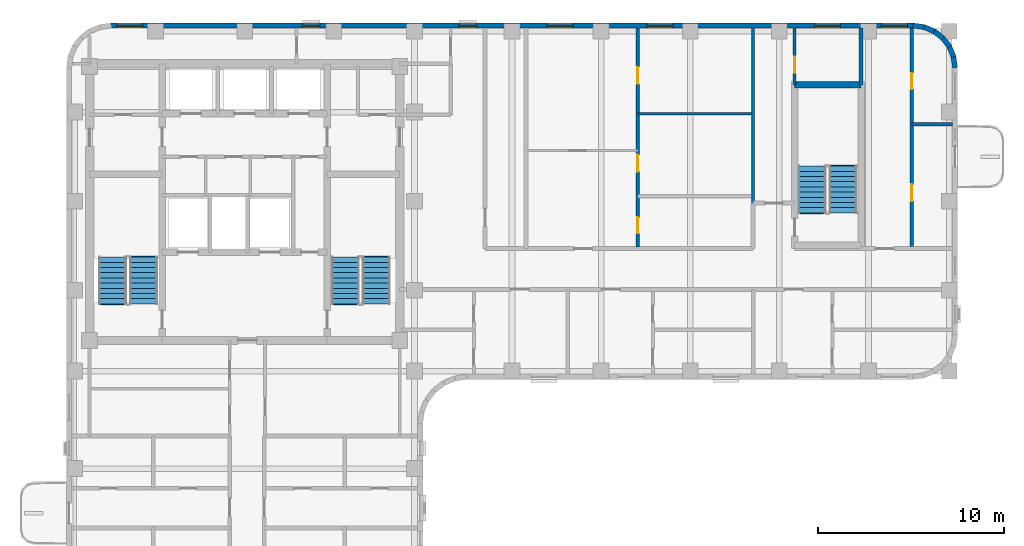
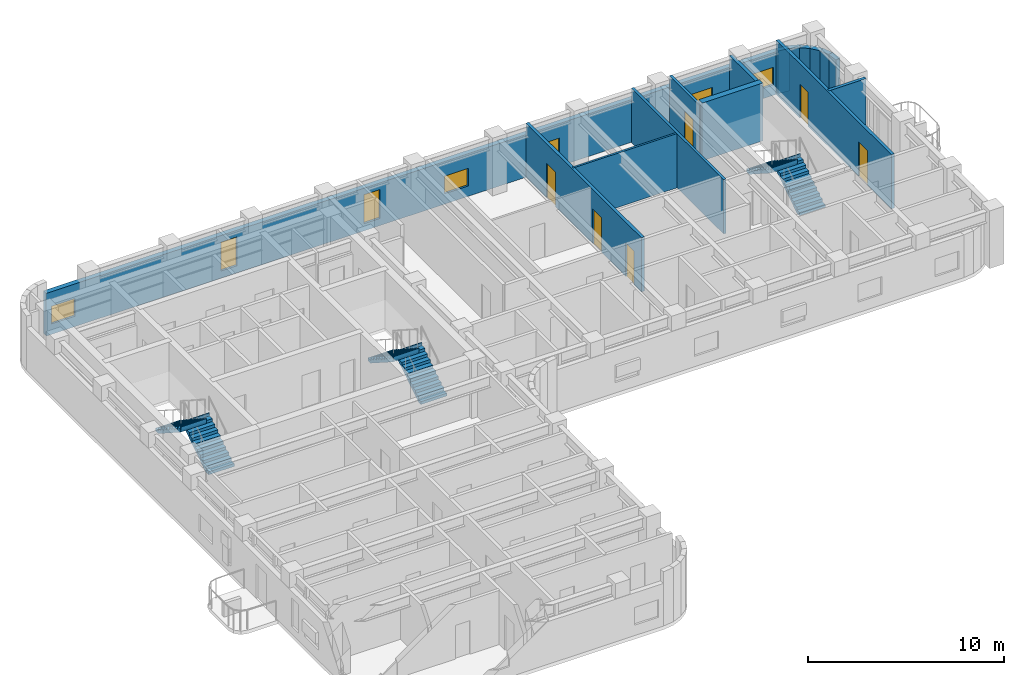
# One storey, part 7 of 10: 15 walls, 7 windows, 6 doors, 6 stair flights, 13 openings, 3 elements without a shape of their own.
"""IFC4 building model written with IfcOpenShell, lengths in metres."""

from ifc_helpers import new_model, si_unit, direction, frame, frame_2d, origin, place, context, subcontext, project, spatial, polyline, rectangle, outline, extrude, material, layer, layer_set, type_object, element, fill, aggregate, save


model = new_model("IFC4")

# Units and contexts
model_context = context("Model", 3, precision=1e-05, world=origin(), true_north=direction((0.0, 1.0)))
body_context = subcontext(model_context, "Body", "Model", "MODEL_VIEW")
ifc_project = project(units=[si_unit("LENGTHUNIT", "METRE"), si_unit("AREAUNIT", "SQUARE_METRE"), si_unit("VOLUMEUNIT", "CUBIC_METRE"), si_unit("PLANEANGLEUNIT", "RADIAN"), si_unit("MASSUNIT", "GRAM", prefix="KILO")], contexts=[model_context])

# Site, building, storey
site_placement = place(None, origin())
site = spatial("IfcSite", under=ifc_project, at=site_placement, CompositionType="ELEMENT")
building_placement = place(site_placement, origin())
building = spatial("IfcBuilding", under=site, at=building_placement, Name="Orvandelia Arch Residences", CompositionType="ELEMENT")
storey_placement = place(building_placement, frame((0.0, 0.0, 211.0)))
storey = spatial("IfcBuildingStorey", under=building, at=storey_placement, Name="L55", CompositionType="ELEMENT", Elevation=211.0)

# Walls
ifc_material_1 = material(Name="Concrete C50/60", Category="concrete")
ifc_layer_1 = layer(ifc_material_1, 0.35009765625, Name="Concrete C50/60", Category="concrete")
ifc_layer_set_1 = layer_set([ifc_layer_1], Name="Concrete C50/60")
wall_type_1 = type_object("IfcWallType", Name="WL-CORE-350", PredefinedType="SHEAR", material=ifc_layer_set_1)
wall_1_placement = place(storey_placement, frame((44.02001953125, 44.659912109375, 0.0), z_axis=(0.0, 0.0, 1.0), x_axis=(1.0, 0.0, 0.0)))
element("IfcWall", 1, at=wall_1_placement, inside=storey, type_object=wall_type_1, Name="East Stair Core Shear Wall L55-N", PredefinedType="SHEAR", context=body_context, shape_type="SweptSolid", body=[
    extrude(rectangle(XDim=3.580078125, YDim=0.35009765625, at=frame_2d((1.7900390625, 0.0))), origin(), (0.0, 0.0, 1.0), 3.60009765625),
])
ifc_material_2 = material(Name="Concrete C40/50", Category="concrete")
ifc_layer_2 = layer(ifc_material_2, 0.199951171875, Name="Concrete C40/50", Category="concrete")
ifc_layer_set_2 = layer_set([ifc_layer_2], Name="Concrete C40/50")
wall_type_2 = type_object("IfcWallType", Name="WL-DEM-200", PredefinedType="SOLIDWALL", material=ifc_layer_set_2)
wall_2_placement = place(storey_placement, frame((47.60009765625, 44.659912109375, 0.0), z_axis=(0.0, 0.0, 1.0), x_axis=(0.0, 1.0, 0.0)))
element("IfcWall", 2, at=wall_2_placement, inside=storey, type_object=wall_type_2, Name="Interior Partition Wall WL-L55-ES-NST3E", PredefinedType="SOLIDWALL", context=body_context, shape_type="SweptSolid", body=[
    extrude(rectangle(XDim=3.06005859375, YDim=0.199951171875, at=frame_2d((1.530029296875, 0.0))), origin(), (0.0, 0.0, 1.0), 3.3798828125),
])

# Wall, openings, windows
ifc_material_3 = material(Name="Precast concrete C40/50", Category="concrete")
ifc_layer_3 = layer(ifc_material_3, 0.280029296875, Name="Precast concrete C40/50", Category="concrete")
ifc_layer_set_3 = layer_set([ifc_layer_3], Name="Precast concrete C40/50")
wall_type_3 = type_object("IfcWallType", Name="WL-EXT-STONE-280", PredefinedType="STANDARD", material=ifc_layer_set_3)
wall_3_placement = place(storey_placement, frame((7.199951171875, 47.860107421875, 0.0), z_axis=(0.0, 0.0, 1.0), x_axis=(1.0, 0.0, 0.0)))
wall_3 = element("IfcWall", 3, at=wall_3_placement, inside=storey, type_object=wall_type_3, Name="Coral-Limestone Precast Facade Wall L55-007", PredefinedType="STANDARD", context=body_context, shape_type="SweptSolid", body=[
    extrude(rectangle(XDim=43.199951171875, YDim=0.280029296875, at=frame_2d((21.60009765625, 0.0))), origin(), (0.0, 0.0, 1.0), 2.659912109375),
])
opening_1_placement = place(wall_3_placement, frame((28.865966796875, 0.0, 0.64990234375)))
opening_1 = element("IfcOpeningElement", 4, at=opening_1_placement, cuts=wall_3, Name="Opening W10", PredefinedType="OPENING", context=body_context, shape_type="SweptSolid", body=[
    extrude(rectangle(XDim=1.39990234375, YDim=1.10009765625, at=frame_2d((0.699951171875, 0.550048828125))), frame((0.0, 0.14990234375, 0.0), z_axis=(0.0, -1.0, 0.0), x_axis=(1.0, 0.0, 0.0)), (0.0, 0.0, 1.0), 0.300048828125),
])
opening_2_placement = place(wall_3_placement, frame((41.489501953125, 0.0, 0.64990234375)))
opening_2 = element("IfcOpeningElement", 5, at=opening_2_placement, cuts=wall_3, Name="Opening W10", PredefinedType="OPENING", context=body_context, shape_type="SweptSolid", body=[
    extrude(rectangle(XDim=1.39990234375, YDim=1.10009765625, at=frame_2d((0.699951171875, 0.550048828125))), frame((0.0, 0.14990234375, 0.0), z_axis=(0.0, -1.0, 0.0), x_axis=(1.0, 0.0, 0.0)), (0.0, 0.0, 1.0), 0.300048828125),
])
opening_3_placement = place(wall_3_placement, frame((18.739990234375, 0.0, 0.449951171875)))
opening_3 = element("IfcOpeningElement", 6, at=opening_3_placement, cuts=wall_3, Name="Opening W4", PredefinedType="OPENING", context=body_context, shape_type="SweptSolid", body=[
    extrude(rectangle(XDim=0.949951171875, YDim=1.800048828125, at=frame_2d((0.47509765625, 0.89990234375))), frame((0.0, 0.14990234375, 0.0), z_axis=(0.0, -1.0, 0.0), x_axis=(1.0, 0.0, 0.0)), (0.0, 0.0, 1.0), 0.300048828125),
])
opening_4_placement = place(wall_3_placement, frame((37.887451171875, 0.0, 0.64990234375)))
opening_4 = element("IfcOpeningElement", 7, at=opening_4_placement, cuts=wall_3, Name="Opening W10", PredefinedType="OPENING", context=body_context, shape_type="SweptSolid", body=[
    extrude(rectangle(XDim=1.39990234375, YDim=1.10009765625, at=frame_2d((0.699951171875, 0.550048828125))), frame((0.0, 0.14990234375, 0.0), z_axis=(0.0, -1.0, 0.0), x_axis=(1.0, 0.0, 0.0)), (0.0, 0.0, 1.0), 0.300048828125),
])
opening_5_placement = place(wall_3_placement, frame((0.3076171875, 0.0, 0.64990234375)))
opening_5 = element("IfcOpeningElement", 8, at=opening_5_placement, cuts=wall_3, Name="Opening W10", PredefinedType="OPENING", context=body_context, shape_type="SweptSolid", body=[
    extrude(rectangle(XDim=1.39990234375, YDim=1.10009765625, at=frame_2d((0.699951171875, 0.550048828125))), frame((0.0, 0.14990234375, 0.0), z_axis=(0.0, -1.0, 0.0), x_axis=(1.0, 0.0, 0.0)), (0.0, 0.0, 1.0), 0.300048828125),
])
opening_6_placement = place(wall_3_placement, frame((10.302490234375, 0.0, 0.449951171875)))
opening_6 = element("IfcOpeningElement", 9, at=opening_6_placement, cuts=wall_3, Name="Opening W4", PredefinedType="OPENING", context=body_context, shape_type="SweptSolid", body=[
    extrude(rectangle(XDim=0.949951171875, YDim=1.800048828125, at=frame_2d((0.47509765625, 0.89990234375))), frame((0.0, 0.14990234375, 0.0), z_axis=(0.0, -1.0, 0.0), x_axis=(1.0, 0.0, 0.0)), (0.0, 0.0, 1.0), 0.300048828125),
])
opening_7_placement = place(wall_3_placement, frame((23.492431640625, 0.0, 0.64990234375)))
opening_7 = element("IfcOpeningElement", 10, at=opening_7_placement, cuts=wall_3, Name="Opening W10", PredefinedType="OPENING", context=body_context, shape_type="SweptSolid", body=[
    extrude(rectangle(XDim=1.39990234375, YDim=1.10009765625, at=frame_2d((0.699951171875, 0.550048828125))), frame((0.0, 0.14990234375, 0.0), z_axis=(0.0, -1.0, 0.0), x_axis=(1.0, 0.0, 0.0)), (0.0, 0.0, 1.0), 0.300048828125),
])
ifc_material_4 = material(Name="Tempered Low-E Insulated Glazing", Category="glass")
window_type_1 = type_object("IfcWindowType", Name="WIN-CLR-1400x1100", PartitioningType="SINGLE_PANEL", PredefinedType="WINDOW", material=ifc_material_4)
window_1_placement = place(opening_1_placement, origin())
window_1 = element("IfcWindow", 11, at=window_1_placement, inside=storey, type_object=window_type_1, Name="Recessed Punched Window L55-001", OverallHeight=1.10009765625, OverallWidth=1.39990234375, PartitioningType="SINGLE_PANEL", PredefinedType="WINDOW", context=body_context, shape_type="SweptSolid", body=[
    extrude(rectangle(XDim=1.39990234375, YDim=1.10009765625, at=frame_2d((0.699951171875, 0.550048828125))), frame((0.0, 0.030029296875, 0.0), z_axis=(0.0, -1.0, 0.0), x_axis=(1.0, 0.0, 0.0)), (0.0, 0.0, 1.0), 0.06005859375),
])
fill(opening_1, window_1)
window_2_placement = place(opening_2_placement, origin())
window_2 = element("IfcWindow", 12, at=window_2_placement, inside=storey, type_object=window_type_1, Name="Recessed Punched Window L55-002", OverallHeight=1.10009765625, OverallWidth=1.39990234375, PartitioningType="SINGLE_PANEL", PredefinedType="WINDOW", context=body_context, shape_type="SweptSolid", body=[
    extrude(rectangle(XDim=1.39990234375, YDim=1.10009765625, at=frame_2d((0.699951171875, 0.550048828125))), frame((0.0, 0.030029296875, 0.0), z_axis=(0.0, -1.0, 0.0), x_axis=(1.0, 0.0, 0.0)), (0.0, 0.0, 1.0), 0.06005859375),
])
fill(opening_2, window_2)
window_3_placement = place(opening_4_placement, origin())
window_3 = element("IfcWindow", 13, at=window_3_placement, inside=storey, type_object=window_type_1, Name="Recessed Punched Window L55-004", OverallHeight=1.10009765625, OverallWidth=1.39990234375, PartitioningType="SINGLE_PANEL", PredefinedType="WINDOW", context=body_context, shape_type="SweptSolid", body=[
    extrude(rectangle(XDim=1.39990234375, YDim=1.10009765625, at=frame_2d((0.699951171875, 0.550048828125))), frame((0.0, 0.030029296875, 0.0), z_axis=(0.0, -1.0, 0.0), x_axis=(1.0, 0.0, 0.0)), (0.0, 0.0, 1.0), 0.06005859375),
])
fill(opening_4, window_3)
window_4_placement = place(opening_5_placement, origin())
window_4 = element("IfcWindow", 14, at=window_4_placement, inside=storey, type_object=window_type_1, Name="Recessed Punched Window L55-005", OverallHeight=1.10009765625, OverallWidth=1.39990234375, PartitioningType="SINGLE_PANEL", PredefinedType="WINDOW", context=body_context, shape_type="SweptSolid", body=[
    extrude(rectangle(XDim=1.39990234375, YDim=1.10009765625, at=frame_2d((0.699951171875, 0.550048828125))), frame((0.0, 0.030029296875, 0.0), z_axis=(0.0, -1.0, 0.0), x_axis=(1.0, 0.0, 0.0)), (0.0, 0.0, 1.0), 0.06005859375),
])
fill(opening_5, window_4)
window_5_placement = place(opening_7_placement, origin())
window_5 = element("IfcWindow", 15, at=window_5_placement, inside=storey, type_object=window_type_1, Name="Recessed Punched Window L55-007", OverallHeight=1.10009765625, OverallWidth=1.39990234375, PartitioningType="SINGLE_PANEL", PredefinedType="WINDOW", context=body_context, shape_type="SweptSolid", body=[
    extrude(rectangle(XDim=1.39990234375, YDim=1.10009765625, at=frame_2d((0.699951171875, 0.550048828125))), frame((0.0, 0.030029296875, 0.0), z_axis=(0.0, -1.0, 0.0), x_axis=(1.0, 0.0, 0.0)), (0.0, 0.0, 1.0), 0.06005859375),
])
fill(opening_7, window_5)
window_type_2 = type_object("IfcWindowType", Name="WIN-RES-0950x1800", PartitioningType="SINGLE_PANEL", PredefinedType="WINDOW", material=ifc_material_4)
window_6_placement = place(opening_3_placement, origin())
window_6 = element("IfcWindow", 16, at=window_6_placement, inside=storey, type_object=window_type_2, Name="Recessed Punched Window L55-003", OverallHeight=1.800048828125, OverallWidth=0.949951171875, PartitioningType="SINGLE_PANEL", PredefinedType="WINDOW", context=body_context, shape_type="SweptSolid", body=[
    extrude(rectangle(XDim=0.949951171875, YDim=1.800048828125, at=frame_2d((0.47509765625, 0.89990234375))), frame((0.0, 0.030029296875, 0.0), z_axis=(0.0, -1.0, 0.0), x_axis=(1.0, 0.0, 0.0)), (0.0, 0.0, 1.0), 0.06005859375),
])
fill(opening_3, window_6)
window_7_placement = place(opening_6_placement, origin())
window_7 = element("IfcWindow", 17, at=window_7_placement, inside=storey, type_object=window_type_2, Name="Recessed Punched Window L55-006", OverallHeight=1.800048828125, OverallWidth=0.949951171875, PartitioningType="SINGLE_PANEL", PredefinedType="WINDOW", context=body_context, shape_type="SweptSolid", body=[
    extrude(rectangle(XDim=0.949951171875, YDim=1.800048828125, at=frame_2d((0.47509765625, 0.89990234375))), frame((0.0, 0.030029296875, 0.0), z_axis=(0.0, -1.0, 0.0), x_axis=(1.0, 0.0, 0.0)), (0.0, 0.0, 1.0), 0.06005859375),
])
fill(opening_6, window_7)

# Walls
wall_4_placement = place(storey_placement, frame((50.381591796875, 47.861083984375, 0.0), z_axis=(0.0, 0.0, 1.0), x_axis=(0.991447664465, -0.130504898859, 0.0)))
element("IfcWall", 18, at=wall_4_placement, inside=storey, type_object=wall_type_3, Name="Coral-Limestone Precast Facade Wall L55-008", PredefinedType="STANDARD", context=body_context, shape_type="SweptSolid", body=[
    extrude(rectangle(XDim=0.626708984375, YDim=0.280029296875, at=frame_2d((0.3134765625, 0.0))), origin(), (0.0, 0.0, 1.0), 2.659912109375),
])
for number, where, z_axis, x_axis, name in (
    (19, (50.967529296875, 47.788818359375, 0.0), (0.0, 0.0, 1.0), (0.924031075431, -0.382317370307, 0.0), "Coral-Limestone Precast Facade Wall L55-009"),
    (20, (51.514892578125, 47.5673828125, 0.0), (0.0, 0.0, 1.0), (0.793405610854, -0.608693302629, 0.0), "Coral-Limestone Precast Facade Wall L55-010"),
    (21, (51.986083984375, 47.2119140625, 0.0), (0.0, 0.0, 1.0), (0.608693302629, -0.793405610854, 0.0), "Coral-Limestone Precast Facade Wall L55-011"),
    (22, (52.34912109375, 46.746337890625, 0.0), (0.0, 0.0, 1.0), (0.382650053678, -0.92389335771, 0.0), "Coral-Limestone Precast Facade Wall L55-012"),
    (23, (52.579345703125, 46.202880859375, 0.0), (0.0, 0.0, 1.0), (0.130555323746, -0.9914410257, 0.0), "Coral-Limestone Precast Facade Wall L55-013"),
):
    element("IfcWall", number, at=place(storey_placement, frame(where, z_axis=z_axis, x_axis=x_axis)), inside=storey, type_object=wall_type_3, Name=name, PredefinedType="STANDARD", context=body_context, shape_type="SweptSolid", body=[
        extrude(rectangle(XDim=0.62646484375, YDim=0.280029296875, at=frame_2d((0.313232421875, 0.0))), origin(), (0.0, 0.0, 1.0), 2.659912109375),
    ])
ifc_material_5 = material(Name="Lightweight Gypsum Stud Partition")
ifc_layer_4 = layer(ifc_material_5, 0.1201171875, Name="Lightweight Gypsum Stud Partition")
ifc_layer_set_4 = layer_set([ifc_layer_4], Name="Lightweight Gypsum Stud Partition")
wall_type_4 = type_object("IfcWallType", Name="WL-PART-120", PredefinedType="PARTITIONING", material=ifc_layer_set_4)
wall_5_placement = place(storey_placement, frame((35.576904296875, 43.10693359375, 0.0), z_axis=(0.0, 0.0, 1.0), x_axis=(1.0, 0.0, 0.0)))
element("IfcWall", 24, at=wall_5_placement, inside=storey, type_object=wall_type_4, Name="Interior Partition Wall WL-L55-U10-H2", PredefinedType="PARTITIONING", context=body_context, shape_type="SweptSolid", body=[
    extrude(rectangle(XDim=6.123046875, YDim=0.1201171875, at=frame_2d((3.0615234375, 0.0))), origin(), (0.0, 0.0, 1.0), 3.3798828125),
])
ifc_material_6 = material(Name="Acoustic Gypsum Stud Partition")
ifc_layer_5 = layer(ifc_material_6, 0.14990234375, Name="Acoustic Gypsum Stud Partition")
ifc_layer_set_5 = layer_set([ifc_layer_5], Name="Acoustic Gypsum Stud Partition")
wall_type_5 = type_object("IfcWallType", Name="WL-PART-150", PredefinedType="PARTITIONING", material=ifc_layer_set_5)
wall_6_placement = place(storey_placement, frame((41.780029296875, 38.300048828125, 0.0), z_axis=(0.0, 0.0, 1.0), x_axis=(0.0, 1.0, 0.0)))
element("IfcWall", 25, at=wall_6_placement, inside=storey, type_object=wall_type_5, Name="Interior Partition Wall WL-L55-ES-SPKW", PredefinedType="PARTITIONING", context=body_context, shape_type="SweptSolid", body=[
    extrude(rectangle(XDim=9.419921875, YDim=0.14990234375, at=frame_2d((4.7099609375, 0.0))), origin(), (0.0, 0.0, 1.0), 3.3798828125),
])

# Wall, opening, door
wall_7_placement = place(storey_placement, frame((44.02001953125, 44.659912109375, 0.0), z_axis=(0.0, 0.0, 1.0), x_axis=(0.0, 1.0, 0.0)))
wall_7 = element("IfcWall", 26, at=wall_7_placement, inside=storey, type_object=wall_type_5, Name="Interior Partition Wall WL-L55-ES-NST3W", PredefinedType="PARTITIONING", context=body_context, shape_type="SweptSolid", body=[
    extrude(rectangle(XDim=3.06005859375, YDim=0.14990234375, at=frame_2d((1.530029296875, 0.0))), origin(), (0.0, 0.0, 1.0), 3.3798828125),
])
opening_8_placement = place(wall_7_placement, frame((0.64990234375, 0.0, 0.0)))
opening_8 = element("IfcOpeningElement", 27, at=opening_8_placement, cuts=wall_7, Name="Opening D5", PredefinedType="OPENING", context=body_context, shape_type="SweptSolid", body=[
    extrude(rectangle(XDim=0.8798828125, YDim=2.10009765625, at=frame_2d((0.43994140625, 1.050048828125))), frame((0.0, 0.0849609375, 0.0), z_axis=(0.0, -1.0, 0.0), x_axis=(1.0, 0.0, 0.0)), (0.0, 0.0, 1.0), 0.169921875),
])
ifc_material_7 = material(Name="Painted Galvanised Steel Service Door", Category="steel")
door_type_1 = type_object("IfcDoorType", Name="DR-SRV-880", OperationType="NOTDEFINED", PredefinedType="DOOR", material=ifc_material_7)
door_1_placement = place(opening_8_placement, origin())
door_1 = element("IfcDoor", 28, at=door_1_placement, inside=storey, type_object=door_type_1, Name="DR-L55-ESNST3", OperationType="SINGLE_SWING_RIGHT", OverallHeight=2.10009765625, OverallWidth=0.8798828125, PredefinedType="DOOR", context=body_context, shape_type="SweptSolid", body=[
    extrude(rectangle(XDim=0.8798828125, YDim=2.10009765625, at=frame_2d((0.43994140625, 1.050048828125))), frame((0.0, 0.02490234375, 0.0), z_axis=(0.0, -1.0, 0.0), x_axis=(1.0, 0.0, 0.0)), (0.0, 0.0, 1.0), 0.050048828125),
])
fill(opening_8, door_1)

# Wall, openings, doors
ifc_material_8 = material(Name="Moisture-Resistant Plumbing Wall")
ifc_layer_6 = layer(ifc_material_8, 0.179931640625, Name="Moisture-Resistant Plumbing Wall")
ifc_layer_set_6 = layer_set([ifc_layer_6], Name="Moisture-Resistant Plumbing Wall")
wall_type_6 = type_object("IfcWallType", Name="WL-WET-180", PredefinedType="PLUMBINGWALL", material=ifc_layer_set_6)
wall_8_placement = place(storey_placement, frame((35.576904296875, 35.929931640625, 0.0), z_axis=(0.0, 0.0, 1.0), x_axis=(0.0, 1.0, 0.0)))
wall_8 = element("IfcWall", 29, at=wall_8_placement, inside=storey, type_object=wall_type_6, Name="Interior Partition Wall WL-L55-U10-VT", PredefinedType="PLUMBINGWALL", context=body_context, shape_type="SweptSolid", body=[
    extrude(rectangle(XDim=11.7900390625, YDim=0.179931640625, at=frame_2d((5.89501953125, 0.0))), origin(), (0.0, 0.0, 1.0), 3.3798828125),
])
opening_9_placement = place(wall_8_placement, frame((0.7333984375, 0.0, 0.0)))
opening_9 = element("IfcOpeningElement", 30, at=opening_9_placement, cuts=wall_8, Name="Opening D4", PredefinedType="OPENING", context=body_context, shape_type="SweptSolid", body=[
    extrude(rectangle(XDim=0.860107421875, YDim=2.10009765625, at=frame_2d((0.43017578125, 1.050048828125))), frame((0.0, 0.10009765625, 0.0), z_axis=(0.0, -1.0, 0.0), x_axis=(1.0, 0.0, 0.0)), (0.0, 0.0, 1.0), 0.199951171875),
])
opening_10_placement = place(wall_8_placement, frame((4.063720703125, 0.0, 0.0)))
opening_10 = element("IfcOpeningElement", 31, at=opening_10_placement, cuts=wall_8, Name="Opening D3", PredefinedType="OPENING", context=body_context, shape_type="SweptSolid", body=[
    extrude(rectangle(XDim=0.89990234375, YDim=2.14990234375, at=frame_2d((0.449951171875, 1.074951171875))), frame((0.0, 0.10009765625, 0.0), z_axis=(0.0, -1.0, 0.0), x_axis=(1.0, 0.0, 0.0)), (0.0, 0.0, 1.0), 0.199951171875),
])
opening_11_placement = place(wall_8_placement, frame((8.789306640625, 0.0, 0.0)))
opening_11 = element("IfcOpeningElement", 32, at=opening_11_placement, cuts=wall_8, Name="Opening D3", PredefinedType="OPENING", context=body_context, shape_type="SweptSolid", body=[
    extrude(rectangle(XDim=0.89990234375, YDim=2.14990234375, at=frame_2d((0.449951171875, 1.074951171875))), frame((0.0, 0.10009765625, 0.0), z_axis=(0.0, -1.0, 0.0), x_axis=(1.0, 0.0, 0.0)), (0.0, 0.0, 1.0), 0.199951171875),
])
ifc_material_9 = material(Name="Engineered Timber Flush Door", Category="wood")
door_type_2 = type_object("IfcDoorType", Name="DR-INT-900", OperationType="NOTDEFINED", PredefinedType="DOOR", material=ifc_material_9)
door_2_placement = place(opening_10_placement, origin())
door_2 = element("IfcDoor", 33, at=door_2_placement, inside=storey, type_object=door_type_2, Name="DR-L55-U10-KIT", OperationType="SINGLE_SWING_RIGHT", OverallHeight=2.14990234375, OverallWidth=0.89990234375, PredefinedType="DOOR", context=body_context, shape_type="SweptSolid", body=[
    extrude(rectangle(XDim=0.89990234375, YDim=2.14990234375, at=frame_2d((0.449951171875, 1.074951171875))), frame((0.0, 0.02490234375, 0.0), z_axis=(0.0, -1.0, 0.0), x_axis=(1.0, 0.0, 0.0)), (0.0, 0.0, 1.0), 0.050048828125),
])
fill(opening_10, door_2)
door_3_placement = place(opening_11_placement, origin())
door_3 = element("IfcDoor", 34, at=door_3_placement, inside=storey, type_object=door_type_2, Name="DR-L55-U10-BD1", OperationType="SINGLE_SWING_LEFT", OverallHeight=2.14990234375, OverallWidth=0.89990234375, PredefinedType="DOOR", context=body_context, shape_type="SweptSolid", body=[
    extrude(rectangle(XDim=0.89990234375, YDim=2.14990234375, at=frame_2d((0.449951171875, 1.074951171875))), frame((0.0, 0.02490234375, 0.0), z_axis=(0.0, -1.0, 0.0), x_axis=(1.0, 0.0, 0.0)), (0.0, 0.0, 1.0), 0.050048828125),
])
fill(opening_11, door_3)
ifc_material_10 = material(Name="Moisture-Sealed Timber Bathroom Door", Category="wood")
door_type_3 = type_object("IfcDoorType", Name="DR-WET-900", OperationType="NOTDEFINED", PredefinedType="DOOR", material=ifc_material_10)
door_4_placement = place(opening_9_placement, origin())
door_4 = element("IfcDoor", 35, at=door_4_placement, inside=storey, type_object=door_type_3, Name="DR-L55-U10-BTH", OperationType="SINGLE_SWING_LEFT", OverallHeight=2.10009765625, OverallWidth=0.860107421875, PredefinedType="DOOR", context=body_context, shape_type="SweptSolid", body=[
    extrude(rectangle(XDim=0.860107421875, YDim=2.10009765625, at=frame_2d((0.43017578125, 1.050048828125))), frame((0.0, 0.02490234375, 0.0), z_axis=(0.0, -1.0, 0.0), x_axis=(1.0, 0.0, 0.0)), (0.0, 0.0, 1.0), 0.050048828125),
])
fill(opening_9, door_4)

wall_9_placement = place(storey_placement, frame((50.333984375, 35.949951171875, 0.0), z_axis=(0.0, 0.0, 1.0), x_axis=(0.0, 1.0, 0.0)))
wall_9 = element("IfcWall", 36, at=wall_9_placement, inside=storey, type_object=wall_type_6, Name="Interior Partition Wall WL-L55-U11-VT", PredefinedType="PLUMBINGWALL", context=body_context, shape_type="SweptSolid", body=[
    extrude(rectangle(XDim=11.77001953125, YDim=0.179931640625, at=frame_2d((5.885009765625, 0.0))), origin(), (0.0, 0.0, 1.0), 3.3798828125),
])
opening_12_placement = place(wall_9_placement, frame((2.453369140625, 0.0, 0.0)))
opening_12 = element("IfcOpeningElement", 37, at=opening_12_placement, cuts=wall_9, Name="Opening D3", PredefinedType="OPENING", context=body_context, shape_type="SweptSolid", body=[
    extrude(rectangle(XDim=0.89990234375, YDim=2.14990234375, at=frame_2d((0.449951171875, 1.074951171875))), frame((0.0, 0.10009765625, 0.0), z_axis=(0.0, -1.0, 0.0), x_axis=(1.0, 0.0, 0.0)), (0.0, 0.0, 1.0), 0.199951171875),
])
opening_13_placement = place(wall_9_placement, frame((8.486572265625, 0.0, 0.0)))
opening_13 = element("IfcOpeningElement", 38, at=opening_13_placement, cuts=wall_9, Name="Opening D4", PredefinedType="OPENING", context=body_context, shape_type="SweptSolid", body=[
    extrude(rectangle(XDim=0.860107421875, YDim=2.10009765625, at=frame_2d((0.43017578125, 1.050048828125))), frame((0.0, 0.10009765625, 0.0), z_axis=(0.0, -1.0, 0.0), x_axis=(1.0, 0.0, 0.0)), (0.0, 0.0, 1.0), 0.199951171875),
])
door_5_placement = place(opening_12_placement, origin())
door_5 = element("IfcDoor", 39, at=door_5_placement, inside=storey, type_object=door_type_2, Name="DR-L55-U11-KIT", OperationType="SINGLE_SWING_LEFT", OverallHeight=2.14990234375, OverallWidth=0.89990234375, PredefinedType="DOOR", context=body_context, shape_type="SweptSolid", body=[
    extrude(rectangle(XDim=0.89990234375, YDim=2.14990234375, at=frame_2d((0.449951171875, 1.074951171875))), frame((0.0, 0.02490234375, 0.0), z_axis=(0.0, -1.0, 0.0), x_axis=(1.0, 0.0, 0.0)), (0.0, 0.0, 1.0), 0.050048828125),
])
fill(opening_12, door_5)
door_6_placement = place(opening_13_placement, origin())
door_6 = element("IfcDoor", 40, at=door_6_placement, inside=storey, type_object=door_type_3, Name="DR-L55-U11-BTH", OperationType="SINGLE_SWING_RIGHT", OverallHeight=2.10009765625, OverallWidth=0.860107421875, PredefinedType="DOOR", context=body_context, shape_type="SweptSolid", body=[
    extrude(rectangle(XDim=0.860107421875, YDim=2.10009765625, at=frame_2d((0.43017578125, 1.050048828125))), frame((0.0, 0.02490234375, 0.0), z_axis=(0.0, -1.0, 0.0), x_axis=(1.0, 0.0, 0.0)), (0.0, 0.0, 1.0), 0.050048828125),
])
fill(opening_13, door_6)

# Wall
wall_10_placement = place(storey_placement, frame((50.333984375, 42.552001953125, 0.0), z_axis=(0.0, 0.0, 1.0), x_axis=(1.0, 0.0, 0.0)))
element("IfcWall", 41, at=wall_10_placement, inside=storey, type_object=wall_type_6, Name="Interior Partition Wall WL-L55-U11-H1", PredefinedType="PLUMBINGWALL", context=body_context, shape_type="SweptSolid", body=[
    extrude(rectangle(XDim=2.18603515625, YDim=0.179931640625, at=frame_2d((1.093017578125, 0.0))), origin(), (0.0, 0.0, 1.0), 3.3798828125),
])

# Stair, stair flights
stair_type = type_object("IfcStairType", Name="STAIR-RC-DOGLEG", PredefinedType="HALF_TURN_STAIR", material=ifc_material_2)
stair_1_placement = place(storey_placement, origin())
stair_1 = element("IfcStair", 42, at=stair_1_placement, inside=storey, type_object=stair_type, Name="L55 Protected Exit Stair ST-1", PredefinedType="HALF_TURN_STAIR")
stair_flight_type = type_object("IfcStairFlightType", Name="STFLT-RC-1520", PredefinedType="STRAIGHT", material=ifc_material_2)
stair_flight_1_placement = place(storey_placement, frame((8.9599609375, 32.8701171875, 0.0), z_axis=(0.0, 0.0, 1.0), x_axis=(0.0, 1.0, 0.0)))
stair_flight_1 = element("IfcStairFlight", 43, at=stair_flight_1_placement, type_object=stair_flight_type, Name="ST-1 flight 1", NumberOfRisers=10, NumberOfTreads=9, PredefinedType="STRAIGHT", RiserHeight=0.18, TreadLength=0.28, context=body_context, shape_type="SweptSolid", body=[
    extrude(outline(polyline([(0.0, 0.0), (0.0, 0.179931640625), (0.280029296875, 0.179931640625), (0.280029296875, 0.360107421875), (0.56005859375, 0.360107421875), (0.56005859375, 0.5400390625), (0.840087890625, 0.5400390625), (0.840087890625, 0.719970703125), (1.1201171875, 0.719970703125), (1.1201171875, 0.89990234375), (1.39990234375, 0.89990234375), (1.39990234375, 1.080078125), (1.679931640625, 1.080078125), (1.679931640625, 1.260009765625), (1.9599609375, 1.260009765625), (1.9599609375, 1.43994140625), (2.239990234375, 1.43994140625), (2.239990234375, 1.6201171875), (2.52001953125, 1.6201171875), (2.52001953125, 1.800048828125), (2.580078125, 1.800048828125), (2.580078125, 1.6201171875), (2.52001953125, 1.44189453125), (0.277099609375, 0.0), (0.0, 0.0)])), frame((0.0, 0.760009765625, 0.0), z_axis=(0.0, -1.0, 0.0), x_axis=(1.0, 0.0, 0.0)), (0.0, 0.0, 1.0), 1.52001953125),
])
stair_flight_2_placement = place(storey_placement, frame((7.2900390625, 35.389892578125, 1.800048828125), z_axis=(0.0, 0.0, 1.0), x_axis=(0.0, -1.0, 0.0)))
stair_flight_2 = element("IfcStairFlight", 44, at=stair_flight_2_placement, type_object=stair_flight_type, Name="ST-1 flight 2", NumberOfRisers=10, NumberOfTreads=9, PredefinedType="STRAIGHT", RiserHeight=0.18, TreadLength=0.28, context=body_context, shape_type="SweptSolid", body=[
    extrude(outline(polyline([(0.0, 0.0), (0.0, 0.179931640625), (0.280029296875, 0.179931640625), (0.280029296875, 0.360107421875), (0.56005859375, 0.360107421875), (0.56005859375, 0.5400390625), (0.840087890625, 0.5400390625), (0.840087890625, 0.719970703125), (1.1201171875, 0.719970703125), (1.1201171875, 0.89990234375), (1.39990234375, 0.89990234375), (1.39990234375, 1.080078125), (1.679931640625, 1.080078125), (1.679931640625, 1.260009765625), (1.9599609375, 1.260009765625), (1.9599609375, 1.43994140625), (2.239990234375, 1.43994140625), (2.239990234375, 1.6201171875), (2.52001953125, 1.6201171875), (2.52001953125, 1.800048828125), (2.580078125, 1.800048828125), (2.580078125, 1.6201171875), (2.52001953125, 1.44189453125), (0.277099609375, 0.0), (0.0, 0.0)])), frame((0.0, 0.760009765625, 0.0), z_axis=(0.0, -1.0, 0.0), x_axis=(1.0, 0.0, 0.0)), (0.0, 0.0, 1.0), 1.52001953125),
])
aggregate(stair_1, [stair_flight_1, stair_flight_2])

stair_2_placement = place(storey_placement, origin())
stair_2 = element("IfcStair", 45, at=stair_2_placement, inside=storey, type_object=stair_type, Name="L55 Protected Exit Stair ST-2", PredefinedType="HALF_TURN_STAIR")
stair_flight_3_placement = place(storey_placement, frame((21.489990234375, 32.8701171875, 0.0), z_axis=(0.0, 0.0, 1.0), x_axis=(0.0, 1.0, 0.0)))
stair_flight_3 = element("IfcStairFlight", 46, at=stair_flight_3_placement, type_object=stair_flight_type, Name="ST-2 flight 1", NumberOfRisers=10, NumberOfTreads=9, PredefinedType="STRAIGHT", RiserHeight=0.18, TreadLength=0.28, context=body_context, shape_type="SweptSolid", body=[
    extrude(outline(polyline([(0.0, 0.0), (0.0, 0.179931640625), (0.280029296875, 0.179931640625), (0.280029296875, 0.360107421875), (0.56005859375, 0.360107421875), (0.56005859375, 0.5400390625), (0.840087890625, 0.5400390625), (0.840087890625, 0.719970703125), (1.1201171875, 0.719970703125), (1.1201171875, 0.89990234375), (1.39990234375, 0.89990234375), (1.39990234375, 1.080078125), (1.679931640625, 1.080078125), (1.679931640625, 1.260009765625), (1.9599609375, 1.260009765625), (1.9599609375, 1.43994140625), (2.239990234375, 1.43994140625), (2.239990234375, 1.6201171875), (2.52001953125, 1.6201171875), (2.52001953125, 1.800048828125), (2.580078125, 1.800048828125), (2.580078125, 1.6201171875), (2.52001953125, 1.44189453125), (0.277099609375, 0.0), (0.0, 0.0)])), frame((0.0, 0.760009765625, 0.0), z_axis=(0.0, -1.0, 0.0), x_axis=(1.0, 0.0, 0.0)), (0.0, 0.0, 1.0), 1.52001953125),
])
stair_flight_4_placement = place(storey_placement, frame((19.820068359375, 35.389892578125, 1.800048828125), z_axis=(0.0, 0.0, 1.0), x_axis=(0.0, -1.0, 0.0)))
stair_flight_4 = element("IfcStairFlight", 47, at=stair_flight_4_placement, type_object=stair_flight_type, Name="ST-2 flight 2", NumberOfRisers=10, NumberOfTreads=9, PredefinedType="STRAIGHT", RiserHeight=0.18, TreadLength=0.28, context=body_context, shape_type="SweptSolid", body=[
    extrude(outline(polyline([(0.0, 0.0), (0.0, 0.179931640625), (0.280029296875, 0.179931640625), (0.280029296875, 0.360107421875), (0.56005859375, 0.360107421875), (0.56005859375, 0.5400390625), (0.840087890625, 0.5400390625), (0.840087890625, 0.719970703125), (1.1201171875, 0.719970703125), (1.1201171875, 0.89990234375), (1.39990234375, 0.89990234375), (1.39990234375, 1.080078125), (1.679931640625, 1.080078125), (1.679931640625, 1.260009765625), (1.9599609375, 1.260009765625), (1.9599609375, 1.43994140625), (2.239990234375, 1.43994140625), (2.239990234375, 1.6201171875), (2.52001953125, 1.6201171875), (2.52001953125, 1.800048828125), (2.580078125, 1.800048828125), (2.580078125, 1.6201171875), (2.52001953125, 1.44189453125), (0.277099609375, 0.0), (0.0, 0.0)])), frame((0.0, 0.760009765625, 0.0), z_axis=(0.0, -1.0, 0.0), x_axis=(1.0, 0.0, 0.0)), (0.0, 0.0, 1.0), 1.52001953125),
])
aggregate(stair_2, [stair_flight_3, stair_flight_4])

stair_3_placement = place(storey_placement, origin())
stair_3 = element("IfcStair", 48, at=stair_3_placement, inside=storey, type_object=stair_type, Name="L55 East Wing Exit Stair ST-3", PredefinedType="HALF_TURN_STAIR")
stair_flight_5_placement = place(storey_placement, frame((46.639892578125, 37.77001953125, 0.0), z_axis=(0.0, 0.0, 1.0), x_axis=(0.0, 1.0, 0.0)))
stair_flight_5 = element("IfcStairFlight", 49, at=stair_flight_5_placement, type_object=stair_flight_type, Name="ST-3 flight 1", NumberOfRisers=10, NumberOfTreads=9, PredefinedType="STRAIGHT", RiserHeight=0.18, TreadLength=0.28, context=body_context, shape_type="SweptSolid", body=[
    extrude(outline(polyline([(0.0, 0.0), (0.0, 0.179931640625), (0.280029296875, 0.179931640625), (0.280029296875, 0.360107421875), (0.56005859375, 0.360107421875), (0.56005859375, 0.5400390625), (0.840087890625, 0.5400390625), (0.840087890625, 0.719970703125), (1.1201171875, 0.719970703125), (1.1201171875, 0.89990234375), (1.39990234375, 0.89990234375), (1.39990234375, 1.080078125), (1.679931640625, 1.080078125), (1.679931640625, 1.260009765625), (1.9599609375, 1.260009765625), (1.9599609375, 1.43994140625), (2.239990234375, 1.43994140625), (2.239990234375, 1.6201171875), (2.52001953125, 1.6201171875), (2.52001953125, 1.800048828125), (2.580078125, 1.800048828125), (2.580078125, 1.6201171875), (2.52001953125, 1.44189453125), (0.277099609375, 0.0), (0.0, 0.0)])), frame((0.0, 0.760009765625, 0.0), z_axis=(0.0, -1.0, 0.0), x_axis=(1.0, 0.0, 0.0)), (0.0, 0.0, 1.0), 1.52001953125),
])
stair_flight_6_placement = place(storey_placement, frame((44.969970703125, 40.2900390625, 1.800048828125), z_axis=(0.0, 0.0, 1.0), x_axis=(0.0, -1.0, 0.0)))
stair_flight_6 = element("IfcStairFlight", 50, at=stair_flight_6_placement, type_object=stair_flight_type, Name="ST-3 flight 2", NumberOfRisers=10, NumberOfTreads=9, PredefinedType="STRAIGHT", RiserHeight=0.18, TreadLength=0.28, context=body_context, shape_type="SweptSolid", body=[
    extrude(outline(polyline([(0.0, 0.0), (0.0, 0.179931640625), (0.280029296875, 0.179931640625), (0.280029296875, 0.360107421875), (0.56005859375, 0.360107421875), (0.56005859375, 0.5400390625), (0.840087890625, 0.5400390625), (0.840087890625, 0.719970703125), (1.1201171875, 0.719970703125), (1.1201171875, 0.89990234375), (1.39990234375, 0.89990234375), (1.39990234375, 1.080078125), (1.679931640625, 1.080078125), (1.679931640625, 1.260009765625), (1.9599609375, 1.260009765625), (1.9599609375, 1.43994140625), (2.239990234375, 1.43994140625), (2.239990234375, 1.6201171875), (2.52001953125, 1.6201171875), (2.52001953125, 1.800048828125), (2.580078125, 1.800048828125), (2.580078125, 1.6201171875), (2.52001953125, 1.44189453125), (0.277099609375, 0.0), (0.0, 0.0)])), frame((0.0, 0.760009765625, 0.0), z_axis=(0.0, -1.0, 0.0), x_axis=(1.0, 0.0, 0.0)), (0.0, 0.0, 1.0), 1.52001953125),
])
aggregate(stair_3, [stair_flight_5, stair_flight_6])

save(model, "model.ifc")
